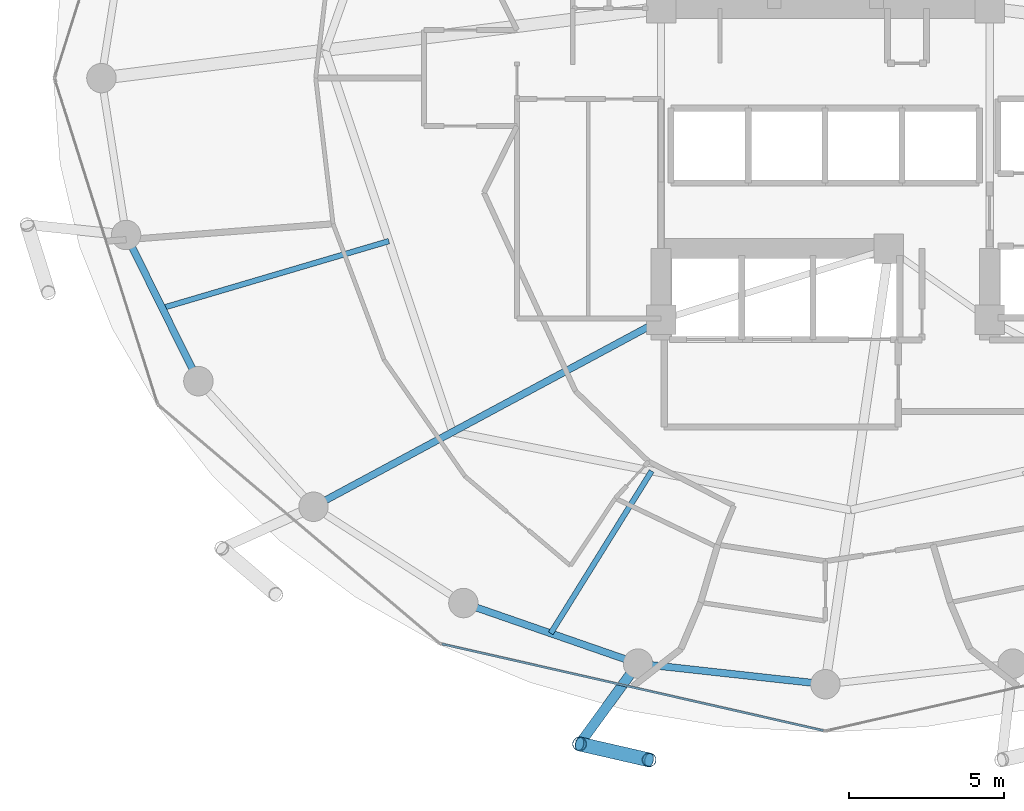
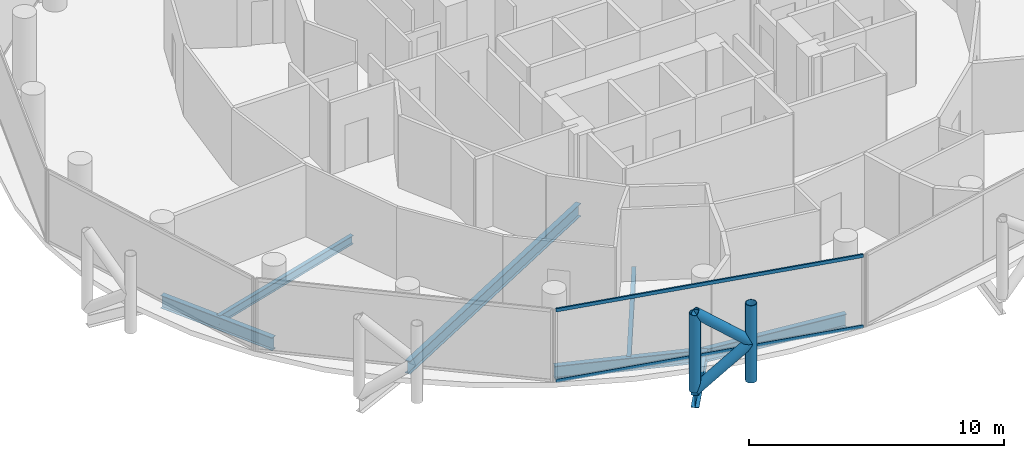
# One storey, part 3 of 26: 7 beams, 6 members, 1 element without a shape of its own.
"""IFC4 building model written with IfcOpenShell, lengths in metres."""

from ifc_helpers import new_model, si_unit, direction, frame, origin, origin_2d, place, context, subcontext, project, spatial, hollow_rectangle, hollow_circle, i_section, extrude, material, layer, layer_set, material_profile, profile_set, type_object, element, aggregate, save


model = new_model("IFC4")

# Units and contexts
model_context = context("Model", 3, precision=1e-05, world=origin(), true_north=direction((0.0, 1.0)))
body_context = subcontext(model_context, "Body", "Model", "MODEL_VIEW")
ifc_project = project(units=[si_unit("LENGTHUNIT", "METRE"), si_unit("AREAUNIT", "SQUARE_METRE"), si_unit("VOLUMEUNIT", "CUBIC_METRE"), si_unit("PLANEANGLEUNIT", "RADIAN"), si_unit("MASSUNIT", "GRAM", prefix="KILO")], contexts=[model_context])

# Site, building, storey
site_placement = place(None, origin())
site = spatial("IfcSite", under=ifc_project, at=site_placement, CompositionType="ELEMENT")
building_placement = place(site_placement, origin())
building = spatial("IfcBuilding", under=site, at=building_placement, Name="Nuhasar Tower", CompositionType="ELEMENT")
storey_placement = place(building_placement, frame((0.0, 0.0, 144.14990234375)))
storey = spatial("IfcBuildingStorey", under=building, at=storey_placement, Name="L34", CompositionType="ELEMENT", Elevation=144.14990234375)

# Beams
ifc_material_1 = material(Name="Steel S355", Category="steel")
ifc_material_profile_1 = material_profile(ifc_material_1, i_section(OverallWidth=0.177978515625, OverallDepth=0.406005859375, WebThickness=0.0078125, FlangeThickness=0.0126953125, at=origin_2d()), Name="W16X40")
ifc_profile_set_1 = profile_set([ifc_material_profile_1], Name="Steel S355")
beam_type_1 = type_object("IfcBeamType", Name="BM-JST-W16X40", PredefinedType="JOIST", material=ifc_profile_set_1)
beam_1_placement = place(storey_placement, frame((33.39697265625, 14.1279296875, -0.452880859375), z_axis=(-0.528139463011, -0.849157645912, 0.0), x_axis=(0.849157645912, -0.528139463011, 0.0)))
element("IfcBeam", 1, at=beam_1_placement, inside=storey, type_object=beam_type_1, Name="L34 Secondary Floor Joist 01", PredefinedType="JOIST", context=body_context, shape_type="SweptSolid", body=[
    extrude(i_section(OverallWidth=0.177978515625, OverallDepth=0.406005859375, WebThickness=0.0078125, FlangeThickness=0.0126953125, at=origin_2d()), origin(), (0.0, 0.0, 1.0), 6.164794921875),
])
beam_2_placement = place(storey_placement, frame((24.922119140625, 21.54296875, -0.452880859375), z_axis=(-0.959013356257, -0.283360869775, 0.0), x_axis=(0.283360869775, -0.959013356257, 0.0)))
element("IfcBeam", 2, at=beam_2_placement, inside=storey, type_object=beam_type_1, Name="L34 Secondary Floor Joist 08", PredefinedType="JOIST", context=body_context, shape_type="SweptSolid", body=[
    extrude(i_section(OverallWidth=0.177978515625, OverallDepth=0.406005859375, WebThickness=0.0078125, FlangeThickness=0.0126953125, at=origin_2d()), origin(), (0.0, 0.0, 1.0), 7.62255859375),
])
ifc_material_profile_2 = material_profile(ifc_material_1, i_section(OverallWidth=0.22900390625, OverallDepth=0.612060546875, WebThickness=0.011962890625, FlangeThickness=0.01953125, at=origin_2d()), Name="W24X84")
ifc_profile_set_2 = profile_set([ifc_material_profile_2], Name="Steel S355")
beam_type_2 = type_object("IfcBeamType", Name="BM-RAD-W24X84", PredefinedType="BEAM", material=ifc_profile_set_2)
beam_3_placement = place(storey_placement, frame((33.699951171875, 19.0, -0.555908203125), z_axis=(-0.880888386928, -0.473324043098, 0.0), x_axis=(0.473324043098, -0.880888386928, 0.0)))
element("IfcBeam", 3, at=beam_3_placement, inside=storey, type_object=beam_type_2, Name="L34 Radial Floor Girder 01", PredefinedType="BEAM", context=body_context, shape_type="SweptSolid", body=[
    extrude(i_section(OverallWidth=0.22900390625, OverallDepth=0.612060546875, WebThickness=0.011962890625, FlangeThickness=0.01953125, at=origin_2d()), origin(), (0.0, 0.0, 1.0), 12.726806640625),
])
ifc_material_profile_3 = material_profile(ifc_material_1, i_section(OverallWidth=0.22998046875, OverallDepth=0.616943359375, WebThickness=0.01318359375, FlangeThickness=0.022216796875, at=origin_2d()), Name="W24X94")
ifc_profile_set_3 = profile_set([ifc_material_profile_3], Name="Steel S355")
beam_type_3 = type_object("IfcBeamType", Name="BM-RING-W24X94", PredefinedType="SPANDREL", material=ifc_profile_set_3)
beam_4_placement = place(storey_placement, frame((16.446044921875, 21.739990234375, -0.558837890625), z_axis=(0.443329327657, -0.896358804966, 0.0), x_axis=(0.896358804966, 0.443329327657, 0.0)))
element("IfcBeam", 4, at=beam_4_placement, inside=storey, type_object=beam_type_3, Name="L34 Perimeter Ring Spandrel 14", PredefinedType="SPANDREL", context=body_context, shape_type="SweptSolid", body=[
    extrude(i_section(OverallWidth=0.22998046875, OverallDepth=0.616943359375, WebThickness=0.01318359375, FlangeThickness=0.022216796875, at=origin_2d()), origin(), (0.0, 0.0, 1.0), 5.26025390625),
])
beam_5_placement = place(storey_placement, frame((27.324951171875, 9.868896484375, -0.558837890625), z_axis=(0.944814057608, -0.327607076458, 0.0), x_axis=(0.327607076458, 0.944814057608, 0.0)))
element("IfcBeam", 5, at=beam_5_placement, inside=storey, type_object=beam_type_3, Name="L34 Perimeter Ring Spandrel 17", PredefinedType="SPANDREL", context=body_context, shape_type="SweptSolid", body=[
    extrude(i_section(OverallWidth=0.22998046875, OverallDepth=0.616943359375, WebThickness=0.01318359375, FlangeThickness=0.022216796875, at=origin_2d()), origin(), (0.0, 0.0, 1.0), 5.9609375),
])
beam_6_placement = place(storey_placement, frame((32.95703125, 7.916015625, -0.558837890625), z_axis=(0.993981289157, -0.109549974015, 0.0), x_axis=(0.109549974015, 0.993981289157, 0.0)))
element("IfcBeam", 6, at=beam_6_placement, inside=storey, type_object=beam_type_3, Name="L34 Perimeter Ring Spandrel 18", PredefinedType="SPANDREL", context=body_context, shape_type="SweptSolid", body=[
    extrude(i_section(OverallWidth=0.22998046875, OverallDepth=0.616943359375, WebThickness=0.01318359375, FlangeThickness=0.022216796875, at=origin_2d()), origin(), (0.0, 0.0, 1.0), 6.07958984375),
])
ifc_material_profile_4 = material_profile(ifc_material_1, i_section(OverallWidth=0.323974609375, OverallDepth=0.611083984375, WebThickness=0.0126953125, FlangeThickness=0.01904296875, at=origin_2d()), Name="W24X104")
ifc_profile_set_4 = profile_set([ifc_material_profile_4], Name="Steel S355")
beam_type_4 = type_object("IfcBeamType", Name="BM-TIE-W24X104", PredefinedType="BEAM", material=ifc_profile_set_4)
beam_7_placement = place(storey_placement, frame((32.95703125, 7.916015625, -0.554931640625), z_axis=(-0.588149050751, -0.808752554309, 0.0), x_axis=(0.808752554309, -0.588149050751, 0.0)))
element("IfcBeam", 7, at=beam_7_placement, inside=storey, type_object=beam_type_4, Name="L34 Exoskeleton Node Tie Beam 09", PredefinedType="BEAM", context=body_context, shape_type="SweptSolid", body=[
    extrude(i_section(OverallWidth=0.323974609375, OverallDepth=0.611083984375, WebThickness=0.0126953125, FlangeThickness=0.01904296875, at=origin_2d()), origin(), (0.0, 0.0, 1.0), 3.205078125),
])

# Curtain wall, members
ifc_material_2 = material(Name="Aluminium 6063-T6", Category="aluminium")
ifc_layer = layer(ifc_material_2, 0.199951171875)
ifc_layer_set = layer_set([ifc_layer], Name="Aluminium 6063-T6")
curtain_wall_type = type_object("IfcCurtainWallType", Name="CW-Z2-HTL", PredefinedType="NOTDEFINED", material=ifc_layer_set)
curtain_wall_placement = place(storey_placement, origin())
curtain_wall = element("IfcCurtainWall", 8, at=curtain_wall_placement, inside=storey, type_object=curtain_wall_type, Name="L34 Unitised Curtain Wall 09", PredefinedType="NOTDEFINED")
ifc_material_profile_5 = material_profile(ifc_material_2, hollow_rectangle(XDim=0.070068359375, YDim=0.159912109375, WallThickness=0.00439453125, at=origin_2d()), Name="CWT-3")
ifc_profile_set_5 = profile_set([ifc_material_profile_5], Name="Aluminium 6063-T6")
member_type_1 = type_object("IfcMemberType", Name="CW-TRN-S3", PredefinedType="USERDEFINED", material=ifc_profile_set_5)
member_1_placement = place(storey_placement, frame((26.63818359375, 8.54638671875, 0.03515625), z_axis=(0.975187615691, -0.221380022142, 0.0), x_axis=(0.221380022142, 0.975187615691, 0.0)))
member_1 = element("IfcMember", 9, at=member_1_placement, type_object=member_type_1, Name="CW-Z2 transom 1.1", ObjectType="TRANSOM", PredefinedType="USERDEFINED", context=body_context, shape_type="SweptSolid", body=[
    extrude(hollow_rectangle(XDim=0.070068359375, YDim=0.159912109375, WallThickness=0.00439453125, at=origin_2d()), origin(), (0.0, 0.0, 1.0), 12.606201171875),
])
member_2_placement = place(storey_placement, frame((26.63818359375, 8.54638671875, 3.4150390625), z_axis=(0.975187615691, -0.221380022142, 0.0), x_axis=(0.221380022142, 0.975187615691, 0.0)))
member_2 = element("IfcMember", 10, at=member_2_placement, type_object=member_type_1, Name="CW-Z2 transom 1.2", ObjectType="TRANSOM", PredefinedType="USERDEFINED", context=body_context, shape_type="SweptSolid", body=[
    extrude(hollow_rectangle(XDim=0.070068359375, YDim=0.159912109375, WallThickness=0.00439453125, at=origin_2d()), origin(), (0.0, 0.0, 1.0), 12.606201171875),
])
aggregate(curtain_wall, [member_1, member_2])

# Members
ifc_material_3 = material(Name="Steel S460", Category="steel")
ifc_material_profile_6 = material_profile(ifc_material_3, hollow_circle(Radius=0.228515625, WallThickness=0.022216796875, at=origin_2d()), Name="HSS457X22.2")
ifc_profile_set_6 = profile_set([ifc_material_profile_6], Name="Steel S460")
member_type_2 = type_object("IfcMemberType", Name="EXO-BRONZE-457", PredefinedType="BRACE", material=ifc_profile_set_6)
for number, where, z_axis, x_axis, name in (
    (11, (31.072021484375, 5.323974609375, 0.0), (0.0, 0.0, 1.0), (1.0, 0.0, 0.0), "L34 Exoskeleton Chord Column EC-09A"),
    (12, (33.31396484375, 4.81005859375, 0.0), (0.0, 0.0, 1.0), (1.0, 0.0, 0.0), "L34 Exoskeleton Chord Column EC-09B"),
):
    element("IfcMember", number, at=place(storey_placement, frame(where, z_axis=z_axis, x_axis=x_axis)), inside=storey, type_object=member_type_2, Name=name, PredefinedType="BRACE", context=body_context, shape_type="SweptSolid", body=[
        extrude(hollow_circle(Radius=0.228515625, WallThickness=0.022216796875, at=origin_2d()), origin(), (0.0, 0.0, 1.0), 3.7001953125),
    ])
for number, where, z_axis, x_axis, name in (
    (13, (31.072021484375, 5.323974609375, 0.0), (0.759510488094, -0.174101010284, 0.626763637022), (0.223432882746, 0.974719316987, 0.0), "L34 Bronze Diagrid Brace W1-09"),
    (14, (33.31396484375, 4.81005859375, 1.85009765625), (-0.759510488094, 0.174101010284, 0.626763637022), (-0.223432882746, -0.974719316987, 0.0), "L34 Bronze Diagrid Brace W2-09"),
):
    element("IfcMember", number, at=place(storey_placement, frame(where, z_axis=z_axis, x_axis=x_axis)), inside=storey, type_object=member_type_2, Name=name, PredefinedType="BRACE", context=body_context, shape_type="SweptSolid", body=[
        extrude(hollow_circle(Radius=0.228515625, WallThickness=0.022216796875, at=origin_2d()), origin(), (0.0, 0.0, 1.0), 2.951904296875),
    ])

save(model, "model.ifc")
